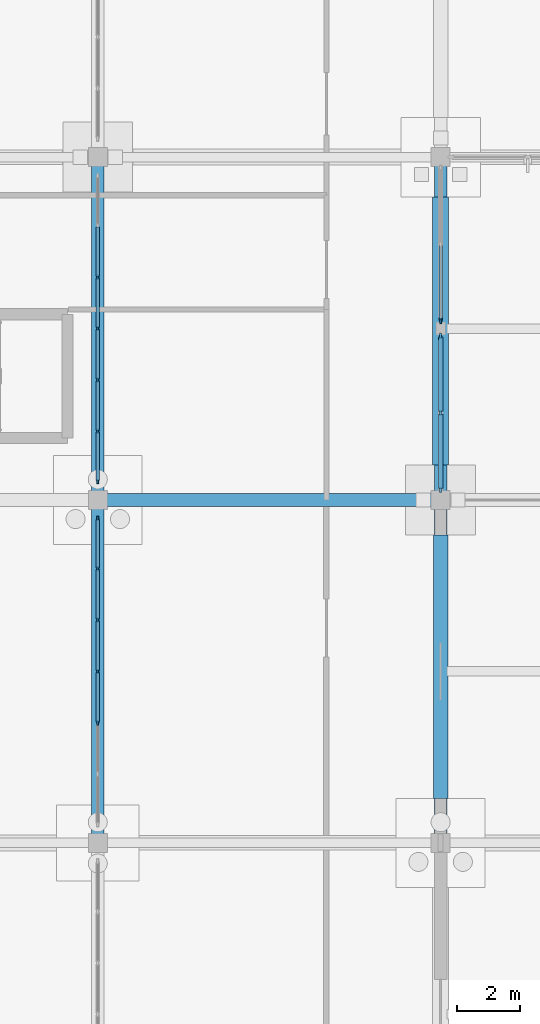
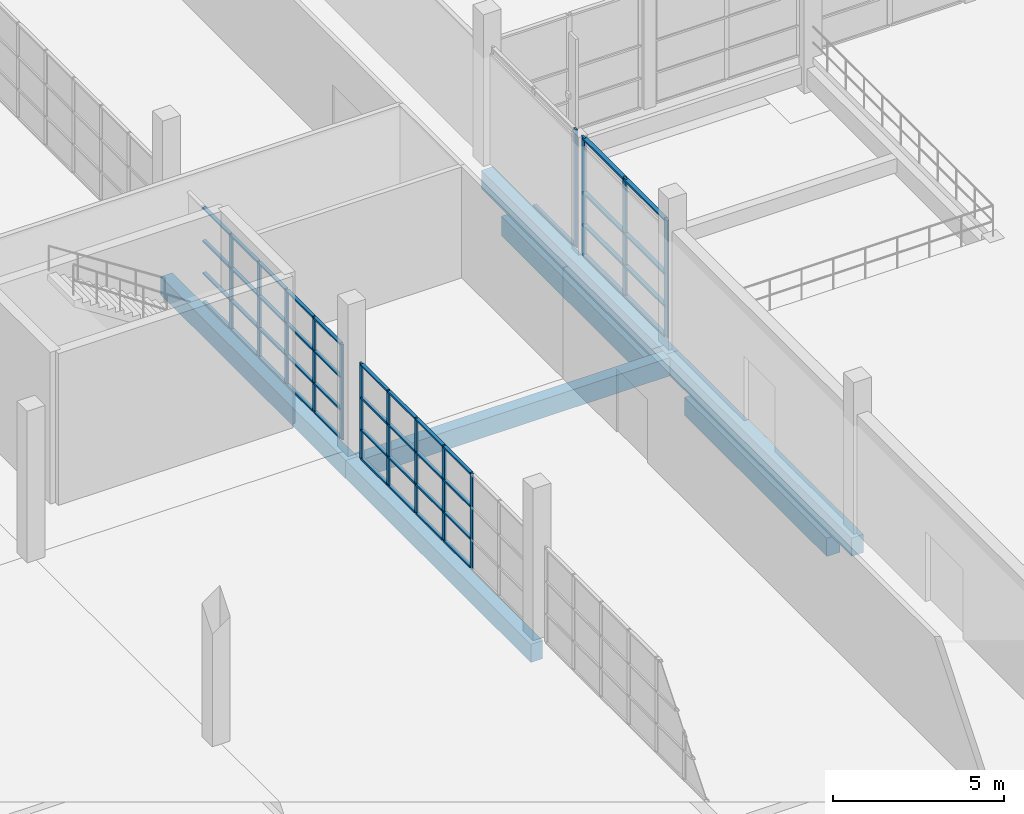
# One storey, part 28 of 138: 59 members, 7 beams, 4 elements without a shape of their own.
"""IFC4 building model written with IfcOpenShell, lengths in metres."""

from ifc_helpers import new_model, si_unit, direction, frame, origin, origin_2d, place, context, subcontext, project, spatial, rectangle, extrude, material, material_profile, profile_set, type_object, element, aggregate, save


model = new_model("IFC4")

# Units and contexts
model_context = context("Model", 3, precision=1e-05, world=origin(), true_north=direction((0.0, 1.0)))
body_context = subcontext(model_context, "Body", "Model", "MODEL_VIEW")
ifc_project = project(units=[si_unit("LENGTHUNIT", "METRE"), si_unit("AREAUNIT", "SQUARE_METRE"), si_unit("VOLUMEUNIT", "CUBIC_METRE"), si_unit("PLANEANGLEUNIT", "RADIAN"), si_unit("MASSUNIT", "GRAM", prefix="KILO")], contexts=[model_context])

# Site, building, storey
site_placement = place(None, origin())
site = spatial("IfcSite", under=ifc_project, at=site_placement, CompositionType="ELEMENT")
building_placement = place(site_placement, origin())
building = spatial("IfcBuilding", under=site, at=building_placement, Name="Zwinboog Wholesale Market", CompositionType="ELEMENT")
storey_placement = place(building_placement, origin())
storey = spatial("IfcBuildingStorey", under=building, at=storey_placement, Name="L00", CompositionType="ELEMENT", Elevation=0.0)

# Beams
ifc_material_1 = material(Name="Precast concrete C45/55", Category="concrete")
ifc_material_profile_1 = material_profile(ifc_material_1, rectangle(XDim=0.39990234375, YDim=0.64990234375, at=origin_2d()), Name="PC 400x650")
ifc_profile_set_1 = profile_set([ifc_material_profile_1], Name="Precast concrete C45/55")
beam_type_1 = type_object("IfcBeamType", Name="BT-05", PredefinedType="BEAM", material=ifc_profile_set_1)
for number, where, z_axis, x_axis, name in (
    (1, (32.39990234375, 54.0, -0.675048828125), (1.0, 0.0, 0.0), (0.0, 1.0, 0.0), "BG-05 (BMG-L00-0324-0540-0072)"),
    (2, (32.39990234375, 43.199951171875, -0.675048828125), (0.0, 1.0, 0.0), (-1.0, 0.0, 0.0), "BG-05 (BMG-L00-0324-0432-0251)"),
    (3, (32.39990234375, 54.0, -0.675048828125), (0.0, 1.0, 0.0), (-1.0, 0.0, 0.0), "BG-05 (BMG-L00-0324-0540-0252)"),
    (4, (43.199951171875, 43.199951171875, -0.675048828125), (0.0, 1.0, 0.0), (-1.0, 0.0, 0.0), "BG-05 (BMG-L00-0432-0432-0263)"),
    (5, (43.199951171875, 54.0, -0.675048828125), (0.0, 1.0, 0.0), (-1.0, 0.0, 0.0), "BG-05 (BMG-L00-0432-0540-0264)"),
):
    element("IfcBeam", number, at=place(storey_placement, frame(where, z_axis=z_axis, x_axis=x_axis)), inside=storey, type_object=beam_type_1, Name=name, PredefinedType="BEAM", context=body_context, shape_type="SweptSolid", body=[
        extrude(rectangle(XDim=0.39990234375, YDim=0.64990234375, at=origin_2d()), origin(), (0.0, 0.0, 1.0), 10.800048828125),
    ])
ifc_material_2 = material(Name="Concrete C35/45", Category="concrete")
ifc_material_profile_2 = material_profile(ifc_material_2, rectangle(XDim=0.5, YDim=0.699951171875, at=origin_2d()), Name="RC 500x700")
ifc_profile_set_2 = profile_set([ifc_material_profile_2], Name="Concrete C35/45")
beam_type_2 = type_object("IfcBeamType", Name="BT-12", PredefinedType="USERDEFINED", material=ifc_profile_set_2)
beam_1_placement = place(storey_placement, frame((43.199951171875, 55.10498046875, -1.550048828125), z_axis=(0.0, 1.0, 0.0), x_axis=(-1.0, 0.0, 0.0)))
element("IfcBeam", 6, at=beam_1_placement, inside=storey, type_object=beam_type_2, Name="GB-01 (BM-GB-0144)", ObjectType="GROUND_BEAM", PredefinedType="USERDEFINED", context=body_context, shape_type="SweptSolid", body=[
    extrude(rectangle(XDim=0.5, YDim=0.699951171875, at=origin_2d()), origin(), (0.0, 0.0, 1.0), 8.43994140625),
])
ifc_material_profile_3 = material_profile(ifc_material_2, rectangle(XDim=0.449951171875, YDim=0.64990234375, at=origin_2d()), Name="RC 450x650")
ifc_profile_set_3 = profile_set([ifc_material_profile_3], Name="Concrete C35/45")
beam_type_3 = type_object("IfcBeamType", Name="BT-13", PredefinedType="USERDEFINED", material=ifc_profile_set_3)
beam_2_placement = place(storey_placement, frame((43.199951171875, 44.60498046875, -1.52490234375), z_axis=(0.0, 1.0, 0.0), x_axis=(-1.0, 0.0, 0.0)))
element("IfcBeam", 7, at=beam_2_placement, inside=storey, type_object=beam_type_3, Name="GB-02 (BM-GB-0143)", ObjectType="GROUND_BEAM", PredefinedType="USERDEFINED", context=body_context, shape_type="SweptSolid", body=[
    extrude(rectangle(XDim=0.449951171875, YDim=0.64990234375, at=origin_2d()), origin(), (0.0, 0.0, 1.0), 8.2900390625),
])

# Curtain wall, members
ifc_material_3 = material(Name="Aluminium thermally broken curtain wall", Category="aluminium")
curtain_wall_type_1 = type_object("IfcCurtainWallType", Name="CWT-STALL-18", PredefinedType="USERDEFINED", material=ifc_material_3)
curtain_wall_1_placement = place(storey_placement, origin())
curtain_wall_1 = element("IfcCurtainWall", 8, at=curtain_wall_1_placement, inside=storey, type_object=curtain_wall_type_1, Name="CW-01 (CW-L00-025)", ObjectType="STOREFRONT_GLAZING", PredefinedType="USERDEFINED")
ifc_material_4 = material(Name="Aluminium EN AW-6060", Category="aluminium")
ifc_material_profile_4 = material_profile(ifc_material_4, rectangle(XDim=0.06494140625, YDim=0.179931640625, at=origin_2d()), Name="AL 65x180")
ifc_profile_set_4 = profile_set([ifc_material_profile_4], Name="Aluminium EN AW-6060")
member_type_1 = type_object("IfcMemberType", Name="CWM-65x180", PredefinedType="MULLION", material=ifc_profile_set_4)
member_1_placement = place(storey_placement, frame((43.199951171875, 54.327392578125, 0.0), z_axis=(0.0, 0.0, 1.0), x_axis=(-1.0, 0.0, 0.0)))
member_1 = element("IfcMember", 9, at=member_1_placement, type_object=member_type_1, Name="CW-01 mullion 1", PredefinedType="MULLION", context=body_context, shape_type="SweptSolid", body=[
    extrude(rectangle(XDim=0.06494140625, YDim=0.179931640625, at=origin_2d()), origin(), (0.0, 0.0, 1.0), 4.197998046875),
])
member_2_placement = place(storey_placement, frame((43.199951171875, 56.74755859375, 0.0), z_axis=(0.0, 0.0, 1.0), x_axis=(-1.0, 0.0, 0.0)))
member_2 = element("IfcMember", 10, at=member_2_placement, type_object=member_type_1, Name="CW-01 mullion 2", PredefinedType="MULLION", context=body_context, shape_type="SweptSolid", body=[
    extrude(rectangle(XDim=0.06494140625, YDim=0.179931640625, at=origin_2d()), origin(), (0.0, 0.0, 1.0), 4.197998046875),
])
member_3_placement = place(storey_placement, frame((43.199951171875, 59.16748046875, 0.0), z_axis=(0.0, 0.0, 1.0), x_axis=(-1.0, 0.0, 0.0)))
member_3 = element("IfcMember", 11, at=member_3_placement, type_object=member_type_1, Name="CW-01 mullion 3", PredefinedType="MULLION", context=body_context, shape_type="SweptSolid", body=[
    extrude(rectangle(XDim=0.06494140625, YDim=0.179931640625, at=origin_2d()), origin(), (0.0, 0.0, 1.0), 4.197998046875),
])

# Curtain wall, member
curtain_wall_type_2 = type_object("IfcCurtainWallType", Name="CWT-STALL-20", PredefinedType="USERDEFINED", material=ifc_material_3)
curtain_wall_2_placement = place(storey_placement, origin())
curtain_wall_2 = element("IfcCurtainWall", 12, at=curtain_wall_2_placement, inside=storey, type_object=curtain_wall_type_2, Name="CW-02 (CW-L00-026)", ObjectType="STOREFRONT_GLAZING", PredefinedType="USERDEFINED")
ifc_material_profile_5 = material_profile(ifc_material_4, rectangle(XDim=0.06005859375, YDim=0.14990234375, at=origin_2d()), Name="AL 60x150")
ifc_profile_set_5 = profile_set([ifc_material_profile_5], Name="Aluminium EN AW-6060")
member_type_2 = type_object("IfcMemberType", Name="CWM-60x150", PredefinedType="MULLION", material=ifc_profile_set_5)
member_4_placement = place(storey_placement, frame((43.199951171875, 59.6298828125, 0.0), z_axis=(0.0, 0.0, 1.0), x_axis=(-1.0, 0.0, 0.0)))
member_4 = element("IfcMember", 13, at=member_4_placement, type_object=member_type_2, Name="CW-02 mullion 1", PredefinedType="MULLION", context=body_context, shape_type="SweptSolid", body=[
    extrude(rectangle(XDim=0.06005859375, YDim=0.14990234375, at=origin_2d()), origin(), (0.0, 0.0, 1.0), 4.197998046875),
])

# Member
ifc_material_profile_6 = material_profile(ifc_material_4, rectangle(XDim=0.139892578125, YDim=0.06494140625, at=origin_2d()), Name="AL 65x140")
ifc_profile_set_6 = profile_set([ifc_material_profile_6], Name="Aluminium EN AW-6060")
member_type_3 = type_object("IfcMemberType", Name="CWT-65x140", PredefinedType="USERDEFINED", material=ifc_profile_set_6)
member_5_placement = place(storey_placement, frame((43.199951171875, 54.360107421875, 0.032470703125), z_axis=(0.0, 1.0, 0.0), x_axis=(-1.0, 0.0, 0.0)))
member_5 = element("IfcMember", 14, at=member_5_placement, type_object=member_type_3, Name="CW-01 transom 1.1", ObjectType="TRANSOM", PredefinedType="USERDEFINED", context=body_context, shape_type="SweptSolid", body=[
    extrude(rectangle(XDim=0.139892578125, YDim=0.06494140625, at=origin_2d()), origin(), (0.0, 0.0, 1.0), 2.35498046875),
])

member_6_placement = place(storey_placement, frame((43.199951171875, 54.360107421875, 1.10009765625), z_axis=(0.0, 1.0, 0.0), x_axis=(-1.0, 0.0, 0.0)))
member_6 = element("IfcMember", 15, at=member_6_placement, type_object=member_type_3, Name="CW-01 transom 1.2", ObjectType="TRANSOM", PredefinedType="USERDEFINED", context=body_context, shape_type="SweptSolid", body=[
    extrude(rectangle(XDim=0.139892578125, YDim=0.06494140625, at=origin_2d()), origin(), (0.0, 0.0, 1.0), 2.35498046875),
])

member_7_placement = place(storey_placement, frame((43.199951171875, 54.360107421875, 2.25), z_axis=(0.0, 1.0, 0.0), x_axis=(-1.0, 0.0, 0.0)))
member_7 = element("IfcMember", 16, at=member_7_placement, type_object=member_type_3, Name="CW-01 transom 1.3", ObjectType="TRANSOM", PredefinedType="USERDEFINED", context=body_context, shape_type="SweptSolid", body=[
    extrude(rectangle(XDim=0.139892578125, YDim=0.06494140625, at=origin_2d()), origin(), (0.0, 0.0, 1.0), 2.35498046875),
])

member_8_placement = place(storey_placement, frame((43.199951171875, 54.360107421875, 4.16552734375), z_axis=(0.0, 1.0, 0.0), x_axis=(-1.0, 0.0, 0.0)))
member_8 = element("IfcMember", 17, at=member_8_placement, type_object=member_type_3, Name="CW-01 transom 1.4", ObjectType="TRANSOM", PredefinedType="USERDEFINED", context=body_context, shape_type="SweptSolid", body=[
    extrude(rectangle(XDim=0.139892578125, YDim=0.06494140625, at=origin_2d()), origin(), (0.0, 0.0, 1.0), 2.35498046875),
])

member_9_placement = place(storey_placement, frame((43.199951171875, 56.780029296875, 0.032470703125), z_axis=(0.0, 1.0, 0.0), x_axis=(-1.0, 0.0, 0.0)))
member_9 = element("IfcMember", 18, at=member_9_placement, type_object=member_type_3, Name="CW-01 transom 2.1", ObjectType="TRANSOM", PredefinedType="USERDEFINED", context=body_context, shape_type="SweptSolid", body=[
    extrude(rectangle(XDim=0.139892578125, YDim=0.06494140625, at=origin_2d()), origin(), (0.0, 0.0, 1.0), 2.35498046875),
])

member_10_placement = place(storey_placement, frame((43.199951171875, 56.780029296875, 1.10009765625), z_axis=(0.0, 1.0, 0.0), x_axis=(-1.0, 0.0, 0.0)))
member_10 = element("IfcMember", 19, at=member_10_placement, type_object=member_type_3, Name="CW-01 transom 2.2", ObjectType="TRANSOM", PredefinedType="USERDEFINED", context=body_context, shape_type="SweptSolid", body=[
    extrude(rectangle(XDim=0.139892578125, YDim=0.06494140625, at=origin_2d()), origin(), (0.0, 0.0, 1.0), 2.35498046875),
])

member_11_placement = place(storey_placement, frame((43.199951171875, 56.780029296875, 2.25), z_axis=(0.0, 1.0, 0.0), x_axis=(-1.0, 0.0, 0.0)))
member_11 = element("IfcMember", 20, at=member_11_placement, type_object=member_type_3, Name="CW-01 transom 2.3", ObjectType="TRANSOM", PredefinedType="USERDEFINED", context=body_context, shape_type="SweptSolid", body=[
    extrude(rectangle(XDim=0.139892578125, YDim=0.06494140625, at=origin_2d()), origin(), (0.0, 0.0, 1.0), 2.35498046875),
])

member_12_placement = place(storey_placement, frame((43.199951171875, 56.780029296875, 4.16552734375), z_axis=(0.0, 1.0, 0.0), x_axis=(-1.0, 0.0, 0.0)))
member_12 = element("IfcMember", 21, at=member_12_placement, type_object=member_type_3, Name="CW-01 transom 2.4", ObjectType="TRANSOM", PredefinedType="USERDEFINED", context=body_context, shape_type="SweptSolid", body=[
    extrude(rectangle(XDim=0.139892578125, YDim=0.06494140625, at=origin_2d()), origin(), (0.0, 0.0, 1.0), 2.35498046875),
])

aggregate(curtain_wall_1, [member_1, member_2, member_3, member_5, member_6, member_7, member_8, member_9, member_10, member_11, member_12])

ifc_material_profile_7 = material_profile(ifc_material_4, rectangle(XDim=0.110107421875, YDim=0.06005859375, at=origin_2d()), Name="AL 60x110")
ifc_profile_set_7 = profile_set([ifc_material_profile_7], Name="Aluminium EN AW-6060")
member_type_4 = type_object("IfcMemberType", Name="CWT-60x110", PredefinedType="USERDEFINED", material=ifc_profile_set_7)
member_13_placement = place(storey_placement, frame((43.199951171875, 59.659912109375, 0.030029296875), z_axis=(0.0, 1.0, 0.0), x_axis=(-1.0, 0.0, 0.0)))
member_13 = element("IfcMember", 22, at=member_13_placement, type_object=member_type_4, Name="CW-02 transom 1.1", ObjectType="TRANSOM", PredefinedType="USERDEFINED", context=body_context, shape_type="SweptSolid", body=[
    extrude(rectangle(XDim=0.110107421875, YDim=0.06005859375, at=origin_2d()), origin(), (0.0, 0.0, 1.0), 2.362548828125),
])

aggregate(curtain_wall_2, [member_4, member_13])

# Curtain wall, members
curtain_wall_type_3 = type_object("IfcCurtainWallType", Name="CWT-INT-STALL", PredefinedType="USERDEFINED", material=ifc_material_3)
curtain_wall_3_placement = place(storey_placement, origin())
curtain_wall_3 = element("IfcCurtainWall", 23, at=curtain_wall_3_placement, inside=storey, type_object=curtain_wall_type_3, Name="CW-07 (CW-STL-221)", ObjectType="STOREFRONT_GLAZING", PredefinedType="USERDEFINED")
ifc_material_profile_8 = material_profile(ifc_material_4, rectangle(XDim=0.06005859375, YDim=0.14990234375, at=origin_2d()), Name="AL 60x150")
ifc_profile_set_8 = profile_set([ifc_material_profile_8], Name="Aluminium EN AW-6060")
member_type_5 = type_object("IfcMemberType", Name="CWM-INT-60x120", PredefinedType="MULLION", material=ifc_profile_set_8)
member_14_placement = place(storey_placement, frame((32.39990234375, 46.9833984375, 0.0), z_axis=(0.0, 0.0, 1.0), x_axis=(-1.0, 0.0, 0.0)))
member_14 = element("IfcMember", 24, at=member_14_placement, type_object=member_type_5, Name="CW-07 mullion 3", PredefinedType="MULLION", context=body_context, shape_type="SweptSolid", body=[
    extrude(rectangle(XDim=0.06005859375, YDim=0.14990234375, at=origin_2d()), origin(), (0.0, 0.0, 1.0), 3.39990234375),
])
member_15_placement = place(storey_placement, frame((32.39990234375, 48.60009765625, 0.0), z_axis=(0.0, 0.0, 1.0), x_axis=(-1.0, 0.0, 0.0)))
member_15 = element("IfcMember", 25, at=member_15_placement, type_object=member_type_5, Name="CW-07 mullion 4", PredefinedType="MULLION", context=body_context, shape_type="SweptSolid", body=[
    extrude(rectangle(XDim=0.06005859375, YDim=0.14990234375, at=origin_2d()), origin(), (0.0, 0.0, 1.0), 3.39990234375),
])
member_16_placement = place(storey_placement, frame((32.39990234375, 50.216552734375, 0.0), z_axis=(0.0, 0.0, 1.0), x_axis=(-1.0, 0.0, 0.0)))
member_16 = element("IfcMember", 26, at=member_16_placement, type_object=member_type_5, Name="CW-07 mullion 5", PredefinedType="MULLION", context=body_context, shape_type="SweptSolid", body=[
    extrude(rectangle(XDim=0.06005859375, YDim=0.14990234375, at=origin_2d()), origin(), (0.0, 0.0, 1.0), 3.39990234375),
])
member_17_placement = place(storey_placement, frame((32.39990234375, 51.833251953125, 0.0), z_axis=(0.0, 0.0, 1.0), x_axis=(-1.0, 0.0, 0.0)))
member_17 = element("IfcMember", 27, at=member_17_placement, type_object=member_type_5, Name="CW-07 mullion 6", PredefinedType="MULLION", context=body_context, shape_type="SweptSolid", body=[
    extrude(rectangle(XDim=0.06005859375, YDim=0.14990234375, at=origin_2d()), origin(), (0.0, 0.0, 1.0), 3.39990234375),
])
member_18_placement = place(storey_placement, frame((32.39990234375, 53.419921875, 0.0), z_axis=(0.0, 0.0, 1.0), x_axis=(-1.0, 0.0, 0.0)))
member_18 = element("IfcMember", 28, at=member_18_placement, type_object=member_type_5, Name="CW-07 mullion 7", PredefinedType="MULLION", context=body_context, shape_type="SweptSolid", body=[
    extrude(rectangle(XDim=0.06005859375, YDim=0.14990234375, at=origin_2d()), origin(), (0.0, 0.0, 1.0), 3.39990234375),
])

curtain_wall_4_placement = place(storey_placement, origin())
curtain_wall_4 = element("IfcCurtainWall", 29, at=curtain_wall_4_placement, inside=storey, type_object=curtain_wall_type_3, Name="CW-07 (CW-STL-222)", ObjectType="STOREFRONT_GLAZING", PredefinedType="USERDEFINED")
member_19_placement = place(storey_placement, frame((32.39990234375, 54.580078125, 0.0), z_axis=(0.0, 0.0, 1.0), x_axis=(-1.0, 0.0, 0.0)))
member_19 = element("IfcMember", 30, at=member_19_placement, type_object=member_type_5, Name="CW-07 mullion 1", PredefinedType="MULLION", context=body_context, shape_type="SweptSolid", body=[
    extrude(rectangle(XDim=0.06005859375, YDim=0.14990234375, at=origin_2d()), origin(), (0.0, 0.0, 1.0), 3.39990234375),
])
member_20_placement = place(storey_placement, frame((32.39990234375, 56.166748046875, 0.0), z_axis=(0.0, 0.0, 1.0), x_axis=(-1.0, 0.0, 0.0)))
member_20 = element("IfcMember", 31, at=member_20_placement, type_object=member_type_5, Name="CW-07 mullion 2", PredefinedType="MULLION", context=body_context, shape_type="SweptSolid", body=[
    extrude(rectangle(XDim=0.06005859375, YDim=0.14990234375, at=origin_2d()), origin(), (0.0, 0.0, 1.0), 3.39990234375),
])
member_21_placement = place(storey_placement, frame((32.39990234375, 57.783447265625, 0.0), z_axis=(0.0, 0.0, 1.0), x_axis=(-1.0, 0.0, 0.0)))
member_21 = element("IfcMember", 32, at=member_21_placement, type_object=member_type_5, Name="CW-07 mullion 3", PredefinedType="MULLION", context=body_context, shape_type="SweptSolid", body=[
    extrude(rectangle(XDim=0.06005859375, YDim=0.14990234375, at=origin_2d()), origin(), (0.0, 0.0, 1.0), 3.39990234375),
])
member_22_placement = place(storey_placement, frame((32.39990234375, 59.39990234375, 0.0), z_axis=(0.0, 0.0, 1.0), x_axis=(-1.0, 0.0, 0.0)))
member_22 = element("IfcMember", 33, at=member_22_placement, type_object=member_type_5, Name="CW-07 mullion 4", PredefinedType="MULLION", context=body_context, shape_type="SweptSolid", body=[
    extrude(rectangle(XDim=0.06005859375, YDim=0.14990234375, at=origin_2d()), origin(), (0.0, 0.0, 1.0), 3.39990234375),
])
member_23_placement = place(storey_placement, frame((32.39990234375, 61.0166015625, 0.0), z_axis=(0.0, 0.0, 1.0), x_axis=(-1.0, 0.0, 0.0)))
member_23 = element("IfcMember", 34, at=member_23_placement, type_object=member_type_5, Name="CW-07 mullion 5", PredefinedType="MULLION", context=body_context, shape_type="SweptSolid", body=[
    extrude(rectangle(XDim=0.06005859375, YDim=0.14990234375, at=origin_2d()), origin(), (0.0, 0.0, 1.0), 3.39990234375),
])

# Member
ifc_material_profile_9 = material_profile(ifc_material_4, rectangle(XDim=0.110107421875, YDim=0.06005859375, at=origin_2d()), Name="AL 60x110")
ifc_profile_set_9 = profile_set([ifc_material_profile_9], Name="Aluminium EN AW-6060")
member_type_6 = type_object("IfcMemberType", Name="CWT-INT-60x100", PredefinedType="USERDEFINED", material=ifc_profile_set_9)
member_24_placement = place(storey_placement, frame((32.39990234375, 47.013427734375, 0.030029296875), z_axis=(0.0, 1.0, 0.0), x_axis=(-1.0, 0.0, 0.0)))
member_24 = element("IfcMember", 35, at=member_24_placement, type_object=member_type_6, Name="CW-07 transom 3.1", ObjectType="TRANSOM", PredefinedType="USERDEFINED", context=body_context, shape_type="SweptSolid", body=[
    extrude(rectangle(XDim=0.110107421875, YDim=0.06005859375, at=origin_2d()), origin(), (0.0, 0.0, 1.0), 1.556640625),
])

member_25_placement = place(storey_placement, frame((32.39990234375, 47.013427734375, 1.050048828125), z_axis=(0.0, 1.0, 0.0), x_axis=(-1.0, 0.0, 0.0)))
member_25 = element("IfcMember", 36, at=member_25_placement, type_object=member_type_6, Name="CW-07 transom 3.2", ObjectType="TRANSOM", PredefinedType="USERDEFINED", context=body_context, shape_type="SweptSolid", body=[
    extrude(rectangle(XDim=0.110107421875, YDim=0.06005859375, at=origin_2d()), origin(), (0.0, 0.0, 1.0), 1.556640625),
])

member_26_placement = place(storey_placement, frame((32.39990234375, 47.013427734375, 2.199951171875), z_axis=(0.0, 1.0, 0.0), x_axis=(-1.0, 0.0, 0.0)))
member_26 = element("IfcMember", 37, at=member_26_placement, type_object=member_type_6, Name="CW-07 transom 3.3", ObjectType="TRANSOM", PredefinedType="USERDEFINED", context=body_context, shape_type="SweptSolid", body=[
    extrude(rectangle(XDim=0.110107421875, YDim=0.06005859375, at=origin_2d()), origin(), (0.0, 0.0, 1.0), 1.556640625),
])

member_27_placement = place(storey_placement, frame((32.39990234375, 47.013427734375, 3.3701171875), z_axis=(0.0, 1.0, 0.0), x_axis=(-1.0, 0.0, 0.0)))
member_27 = element("IfcMember", 38, at=member_27_placement, type_object=member_type_6, Name="CW-07 transom 3.4", ObjectType="TRANSOM", PredefinedType="USERDEFINED", context=body_context, shape_type="SweptSolid", body=[
    extrude(rectangle(XDim=0.110107421875, YDim=0.06005859375, at=origin_2d()), origin(), (0.0, 0.0, 1.0), 1.556640625),
])

member_28_placement = place(storey_placement, frame((32.39990234375, 48.6298828125, 0.030029296875), z_axis=(0.0, 1.0, 0.0), x_axis=(-1.0, 0.0, 0.0)))
member_28 = element("IfcMember", 39, at=member_28_placement, type_object=member_type_6, Name="CW-07 transom 4.1", ObjectType="TRANSOM", PredefinedType="USERDEFINED", context=body_context, shape_type="SweptSolid", body=[
    extrude(rectangle(XDim=0.110107421875, YDim=0.06005859375, at=origin_2d()), origin(), (0.0, 0.0, 1.0), 1.556884765625),
])

member_29_placement = place(storey_placement, frame((32.39990234375, 48.6298828125, 1.050048828125), z_axis=(0.0, 1.0, 0.0), x_axis=(-1.0, 0.0, 0.0)))
member_29 = element("IfcMember", 40, at=member_29_placement, type_object=member_type_6, Name="CW-07 transom 4.2", ObjectType="TRANSOM", PredefinedType="USERDEFINED", context=body_context, shape_type="SweptSolid", body=[
    extrude(rectangle(XDim=0.110107421875, YDim=0.06005859375, at=origin_2d()), origin(), (0.0, 0.0, 1.0), 1.556884765625),
])

member_30_placement = place(storey_placement, frame((32.39990234375, 48.6298828125, 2.199951171875), z_axis=(0.0, 1.0, 0.0), x_axis=(-1.0, 0.0, 0.0)))
member_30 = element("IfcMember", 41, at=member_30_placement, type_object=member_type_6, Name="CW-07 transom 4.3", ObjectType="TRANSOM", PredefinedType="USERDEFINED", context=body_context, shape_type="SweptSolid", body=[
    extrude(rectangle(XDim=0.110107421875, YDim=0.06005859375, at=origin_2d()), origin(), (0.0, 0.0, 1.0), 1.556884765625),
])

member_31_placement = place(storey_placement, frame((32.39990234375, 48.6298828125, 3.3701171875), z_axis=(0.0, 1.0, 0.0), x_axis=(-1.0, 0.0, 0.0)))
member_31 = element("IfcMember", 42, at=member_31_placement, type_object=member_type_6, Name="CW-07 transom 4.4", ObjectType="TRANSOM", PredefinedType="USERDEFINED", context=body_context, shape_type="SweptSolid", body=[
    extrude(rectangle(XDim=0.110107421875, YDim=0.06005859375, at=origin_2d()), origin(), (0.0, 0.0, 1.0), 1.556884765625),
])

member_32_placement = place(storey_placement, frame((32.39990234375, 50.24658203125, 0.030029296875), z_axis=(0.0, 1.0, 0.0), x_axis=(-1.0, 0.0, 0.0)))
member_32 = element("IfcMember", 43, at=member_32_placement, type_object=member_type_6, Name="CW-07 transom 5.1", ObjectType="TRANSOM", PredefinedType="USERDEFINED", context=body_context, shape_type="SweptSolid", body=[
    extrude(rectangle(XDim=0.110107421875, YDim=0.06005859375, at=origin_2d()), origin(), (0.0, 0.0, 1.0), 1.556640625),
])

member_33_placement = place(storey_placement, frame((32.39990234375, 50.24658203125, 1.050048828125), z_axis=(0.0, 1.0, 0.0), x_axis=(-1.0, 0.0, 0.0)))
member_33 = element("IfcMember", 44, at=member_33_placement, type_object=member_type_6, Name="CW-07 transom 5.2", ObjectType="TRANSOM", PredefinedType="USERDEFINED", context=body_context, shape_type="SweptSolid", body=[
    extrude(rectangle(XDim=0.110107421875, YDim=0.06005859375, at=origin_2d()), origin(), (0.0, 0.0, 1.0), 1.556640625),
])

member_34_placement = place(storey_placement, frame((32.39990234375, 50.24658203125, 2.199951171875), z_axis=(0.0, 1.0, 0.0), x_axis=(-1.0, 0.0, 0.0)))
member_34 = element("IfcMember", 45, at=member_34_placement, type_object=member_type_6, Name="CW-07 transom 5.3", ObjectType="TRANSOM", PredefinedType="USERDEFINED", context=body_context, shape_type="SweptSolid", body=[
    extrude(rectangle(XDim=0.110107421875, YDim=0.06005859375, at=origin_2d()), origin(), (0.0, 0.0, 1.0), 1.556640625),
])

member_35_placement = place(storey_placement, frame((32.39990234375, 50.24658203125, 3.3701171875), z_axis=(0.0, 1.0, 0.0), x_axis=(-1.0, 0.0, 0.0)))
member_35 = element("IfcMember", 46, at=member_35_placement, type_object=member_type_6, Name="CW-07 transom 5.4", ObjectType="TRANSOM", PredefinedType="USERDEFINED", context=body_context, shape_type="SweptSolid", body=[
    extrude(rectangle(XDim=0.110107421875, YDim=0.06005859375, at=origin_2d()), origin(), (0.0, 0.0, 1.0), 1.556640625),
])

member_36_placement = place(storey_placement, frame((32.39990234375, 51.86328125, 0.030029296875), z_axis=(0.0, 1.0, 0.0), x_axis=(-1.0, 0.0, 0.0)))
member_36 = element("IfcMember", 47, at=member_36_placement, type_object=member_type_6, Name="CW-07 transom 6.1", ObjectType="TRANSOM", PredefinedType="USERDEFINED", context=body_context, shape_type="SweptSolid", body=[
    extrude(rectangle(XDim=0.110107421875, YDim=0.06005859375, at=origin_2d()), origin(), (0.0, 0.0, 1.0), 1.526611328125),
])

member_37_placement = place(storey_placement, frame((32.39990234375, 51.86328125, 1.050048828125), z_axis=(0.0, 1.0, 0.0), x_axis=(-1.0, 0.0, 0.0)))
member_37 = element("IfcMember", 48, at=member_37_placement, type_object=member_type_6, Name="CW-07 transom 6.2", ObjectType="TRANSOM", PredefinedType="USERDEFINED", context=body_context, shape_type="SweptSolid", body=[
    extrude(rectangle(XDim=0.110107421875, YDim=0.06005859375, at=origin_2d()), origin(), (0.0, 0.0, 1.0), 1.526611328125),
])

member_38_placement = place(storey_placement, frame((32.39990234375, 51.86328125, 2.199951171875), z_axis=(0.0, 1.0, 0.0), x_axis=(-1.0, 0.0, 0.0)))
member_38 = element("IfcMember", 49, at=member_38_placement, type_object=member_type_6, Name="CW-07 transom 6.3", ObjectType="TRANSOM", PredefinedType="USERDEFINED", context=body_context, shape_type="SweptSolid", body=[
    extrude(rectangle(XDim=0.110107421875, YDim=0.06005859375, at=origin_2d()), origin(), (0.0, 0.0, 1.0), 1.526611328125),
])

member_39_placement = place(storey_placement, frame((32.39990234375, 51.86328125, 3.3701171875), z_axis=(0.0, 1.0, 0.0), x_axis=(-1.0, 0.0, 0.0)))
member_39 = element("IfcMember", 50, at=member_39_placement, type_object=member_type_6, Name="CW-07 transom 6.4", ObjectType="TRANSOM", PredefinedType="USERDEFINED", context=body_context, shape_type="SweptSolid", body=[
    extrude(rectangle(XDim=0.110107421875, YDim=0.06005859375, at=origin_2d()), origin(), (0.0, 0.0, 1.0), 1.526611328125),
])

aggregate(curtain_wall_3, [member_14, member_15, member_16, member_17, member_18, member_24, member_25, member_26, member_27, member_28, member_29, member_30, member_31, member_32, member_33, member_34, member_35, member_36, member_37, member_38, member_39])

member_40_placement = place(storey_placement, frame((32.39990234375, 54.610107421875, 0.030029296875), z_axis=(0.0, 1.0, 0.0), x_axis=(-1.0, 0.0, 0.0)))
member_40 = element("IfcMember", 51, at=member_40_placement, type_object=member_type_6, Name="CW-07 transom 1.1", ObjectType="TRANSOM", PredefinedType="USERDEFINED", context=body_context, shape_type="SweptSolid", body=[
    extrude(rectangle(XDim=0.110107421875, YDim=0.06005859375, at=origin_2d()), origin(), (0.0, 0.0, 1.0), 1.526611328125),
])

member_41_placement = place(storey_placement, frame((32.39990234375, 54.610107421875, 1.050048828125), z_axis=(0.0, 1.0, 0.0), x_axis=(-1.0, 0.0, 0.0)))
member_41 = element("IfcMember", 52, at=member_41_placement, type_object=member_type_6, Name="CW-07 transom 1.2", ObjectType="TRANSOM", PredefinedType="USERDEFINED", context=body_context, shape_type="SweptSolid", body=[
    extrude(rectangle(XDim=0.110107421875, YDim=0.06005859375, at=origin_2d()), origin(), (0.0, 0.0, 1.0), 1.526611328125),
])

member_42_placement = place(storey_placement, frame((32.39990234375, 54.610107421875, 2.199951171875), z_axis=(0.0, 1.0, 0.0), x_axis=(-1.0, 0.0, 0.0)))
member_42 = element("IfcMember", 53, at=member_42_placement, type_object=member_type_6, Name="CW-07 transom 1.3", ObjectType="TRANSOM", PredefinedType="USERDEFINED", context=body_context, shape_type="SweptSolid", body=[
    extrude(rectangle(XDim=0.110107421875, YDim=0.06005859375, at=origin_2d()), origin(), (0.0, 0.0, 1.0), 1.526611328125),
])

member_43_placement = place(storey_placement, frame((32.39990234375, 54.610107421875, 3.3701171875), z_axis=(0.0, 1.0, 0.0), x_axis=(-1.0, 0.0, 0.0)))
member_43 = element("IfcMember", 54, at=member_43_placement, type_object=member_type_6, Name="CW-07 transom 1.4", ObjectType="TRANSOM", PredefinedType="USERDEFINED", context=body_context, shape_type="SweptSolid", body=[
    extrude(rectangle(XDim=0.110107421875, YDim=0.06005859375, at=origin_2d()), origin(), (0.0, 0.0, 1.0), 1.526611328125),
])

member_44_placement = place(storey_placement, frame((32.39990234375, 56.19677734375, 0.030029296875), z_axis=(0.0, 1.0, 0.0), x_axis=(-1.0, 0.0, 0.0)))
member_44 = element("IfcMember", 55, at=member_44_placement, type_object=member_type_6, Name="CW-07 transom 2.1", ObjectType="TRANSOM", PredefinedType="USERDEFINED", context=body_context, shape_type="SweptSolid", body=[
    extrude(rectangle(XDim=0.110107421875, YDim=0.06005859375, at=origin_2d()), origin(), (0.0, 0.0, 1.0), 1.556640625),
])

member_45_placement = place(storey_placement, frame((32.39990234375, 56.19677734375, 1.050048828125), z_axis=(0.0, 1.0, 0.0), x_axis=(-1.0, 0.0, 0.0)))
member_45 = element("IfcMember", 56, at=member_45_placement, type_object=member_type_6, Name="CW-07 transom 2.2", ObjectType="TRANSOM", PredefinedType="USERDEFINED", context=body_context, shape_type="SweptSolid", body=[
    extrude(rectangle(XDim=0.110107421875, YDim=0.06005859375, at=origin_2d()), origin(), (0.0, 0.0, 1.0), 1.556640625),
])

member_46_placement = place(storey_placement, frame((32.39990234375, 56.19677734375, 2.199951171875), z_axis=(0.0, 1.0, 0.0), x_axis=(-1.0, 0.0, 0.0)))
member_46 = element("IfcMember", 57, at=member_46_placement, type_object=member_type_6, Name="CW-07 transom 2.3", ObjectType="TRANSOM", PredefinedType="USERDEFINED", context=body_context, shape_type="SweptSolid", body=[
    extrude(rectangle(XDim=0.110107421875, YDim=0.06005859375, at=origin_2d()), origin(), (0.0, 0.0, 1.0), 1.556640625),
])

member_47_placement = place(storey_placement, frame((32.39990234375, 56.19677734375, 3.3701171875), z_axis=(0.0, 1.0, 0.0), x_axis=(-1.0, 0.0, 0.0)))
member_47 = element("IfcMember", 58, at=member_47_placement, type_object=member_type_6, Name="CW-07 transom 2.4", ObjectType="TRANSOM", PredefinedType="USERDEFINED", context=body_context, shape_type="SweptSolid", body=[
    extrude(rectangle(XDim=0.110107421875, YDim=0.06005859375, at=origin_2d()), origin(), (0.0, 0.0, 1.0), 1.556640625),
])

member_48_placement = place(storey_placement, frame((32.39990234375, 57.813232421875, 0.030029296875), z_axis=(0.0, 1.0, 0.0), x_axis=(-1.0, 0.0, 0.0)))
member_48 = element("IfcMember", 59, at=member_48_placement, type_object=member_type_6, Name="CW-07 transom 3.1", ObjectType="TRANSOM", PredefinedType="USERDEFINED", context=body_context, shape_type="SweptSolid", body=[
    extrude(rectangle(XDim=0.110107421875, YDim=0.06005859375, at=origin_2d()), origin(), (0.0, 0.0, 1.0), 1.556884765625),
])

member_49_placement = place(storey_placement, frame((32.39990234375, 57.813232421875, 1.050048828125), z_axis=(0.0, 1.0, 0.0), x_axis=(-1.0, 0.0, 0.0)))
member_49 = element("IfcMember", 60, at=member_49_placement, type_object=member_type_6, Name="CW-07 transom 3.2", ObjectType="TRANSOM", PredefinedType="USERDEFINED", context=body_context, shape_type="SweptSolid", body=[
    extrude(rectangle(XDim=0.110107421875, YDim=0.06005859375, at=origin_2d()), origin(), (0.0, 0.0, 1.0), 1.556884765625),
])

member_50_placement = place(storey_placement, frame((32.39990234375, 57.813232421875, 2.199951171875), z_axis=(0.0, 1.0, 0.0), x_axis=(-1.0, 0.0, 0.0)))
member_50 = element("IfcMember", 61, at=member_50_placement, type_object=member_type_6, Name="CW-07 transom 3.3", ObjectType="TRANSOM", PredefinedType="USERDEFINED", context=body_context, shape_type="SweptSolid", body=[
    extrude(rectangle(XDim=0.110107421875, YDim=0.06005859375, at=origin_2d()), origin(), (0.0, 0.0, 1.0), 1.556884765625),
])

member_51_placement = place(storey_placement, frame((32.39990234375, 57.813232421875, 3.3701171875), z_axis=(0.0, 1.0, 0.0), x_axis=(-1.0, 0.0, 0.0)))
member_51 = element("IfcMember", 62, at=member_51_placement, type_object=member_type_6, Name="CW-07 transom 3.4", ObjectType="TRANSOM", PredefinedType="USERDEFINED", context=body_context, shape_type="SweptSolid", body=[
    extrude(rectangle(XDim=0.110107421875, YDim=0.06005859375, at=origin_2d()), origin(), (0.0, 0.0, 1.0), 1.556884765625),
])

member_52_placement = place(storey_placement, frame((32.39990234375, 59.429931640625, 0.030029296875), z_axis=(0.0, 1.0, 0.0), x_axis=(-1.0, 0.0, 0.0)))
member_52 = element("IfcMember", 63, at=member_52_placement, type_object=member_type_6, Name="CW-07 transom 4.1", ObjectType="TRANSOM", PredefinedType="USERDEFINED", context=body_context, shape_type="SweptSolid", body=[
    extrude(rectangle(XDim=0.110107421875, YDim=0.06005859375, at=origin_2d()), origin(), (0.0, 0.0, 1.0), 1.556640625),
])

member_53_placement = place(storey_placement, frame((32.39990234375, 59.429931640625, 1.050048828125), z_axis=(0.0, 1.0, 0.0), x_axis=(-1.0, 0.0, 0.0)))
member_53 = element("IfcMember", 64, at=member_53_placement, type_object=member_type_6, Name="CW-07 transom 4.2", ObjectType="TRANSOM", PredefinedType="USERDEFINED", context=body_context, shape_type="SweptSolid", body=[
    extrude(rectangle(XDim=0.110107421875, YDim=0.06005859375, at=origin_2d()), origin(), (0.0, 0.0, 1.0), 1.556640625),
])

member_54_placement = place(storey_placement, frame((32.39990234375, 59.429931640625, 2.199951171875), z_axis=(0.0, 1.0, 0.0), x_axis=(-1.0, 0.0, 0.0)))
member_54 = element("IfcMember", 65, at=member_54_placement, type_object=member_type_6, Name="CW-07 transom 4.3", ObjectType="TRANSOM", PredefinedType="USERDEFINED", context=body_context, shape_type="SweptSolid", body=[
    extrude(rectangle(XDim=0.110107421875, YDim=0.06005859375, at=origin_2d()), origin(), (0.0, 0.0, 1.0), 1.556640625),
])

member_55_placement = place(storey_placement, frame((32.39990234375, 59.429931640625, 3.3701171875), z_axis=(0.0, 1.0, 0.0), x_axis=(-1.0, 0.0, 0.0)))
member_55 = element("IfcMember", 66, at=member_55_placement, type_object=member_type_6, Name="CW-07 transom 4.4", ObjectType="TRANSOM", PredefinedType="USERDEFINED", context=body_context, shape_type="SweptSolid", body=[
    extrude(rectangle(XDim=0.110107421875, YDim=0.06005859375, at=origin_2d()), origin(), (0.0, 0.0, 1.0), 1.556640625),
])

member_56_placement = place(storey_placement, frame((32.39990234375, 61.046630859375, 0.030029296875), z_axis=(0.0, 1.0, 0.0), x_axis=(-1.0, 0.0, 0.0)))
member_56 = element("IfcMember", 67, at=member_56_placement, type_object=member_type_6, Name="CW-07 transom 5.1", ObjectType="TRANSOM", PredefinedType="USERDEFINED", context=body_context, shape_type="SweptSolid", body=[
    extrude(rectangle(XDim=0.110107421875, YDim=0.06005859375, at=origin_2d()), origin(), (0.0, 0.0, 1.0), 1.556640625),
])

member_57_placement = place(storey_placement, frame((32.39990234375, 61.046630859375, 1.050048828125), z_axis=(0.0, 1.0, 0.0), x_axis=(-1.0, 0.0, 0.0)))
member_57 = element("IfcMember", 68, at=member_57_placement, type_object=member_type_6, Name="CW-07 transom 5.2", ObjectType="TRANSOM", PredefinedType="USERDEFINED", context=body_context, shape_type="SweptSolid", body=[
    extrude(rectangle(XDim=0.110107421875, YDim=0.06005859375, at=origin_2d()), origin(), (0.0, 0.0, 1.0), 1.556640625),
])

member_58_placement = place(storey_placement, frame((32.39990234375, 61.046630859375, 2.199951171875), z_axis=(0.0, 1.0, 0.0), x_axis=(-1.0, 0.0, 0.0)))
member_58 = element("IfcMember", 69, at=member_58_placement, type_object=member_type_6, Name="CW-07 transom 5.3", ObjectType="TRANSOM", PredefinedType="USERDEFINED", context=body_context, shape_type="SweptSolid", body=[
    extrude(rectangle(XDim=0.110107421875, YDim=0.06005859375, at=origin_2d()), origin(), (0.0, 0.0, 1.0), 1.556640625),
])

member_59_placement = place(storey_placement, frame((32.39990234375, 61.046630859375, 3.3701171875), z_axis=(0.0, 1.0, 0.0), x_axis=(-1.0, 0.0, 0.0)))
member_59 = element("IfcMember", 70, at=member_59_placement, type_object=member_type_6, Name="CW-07 transom 5.4", ObjectType="TRANSOM", PredefinedType="USERDEFINED", context=body_context, shape_type="SweptSolid", body=[
    extrude(rectangle(XDim=0.110107421875, YDim=0.06005859375, at=origin_2d()), origin(), (0.0, 0.0, 1.0), 1.556640625),
])

aggregate(curtain_wall_4, [member_19, member_20, member_21, member_22, member_23, member_40, member_41, member_42, member_43, member_44, member_45, member_46, member_47, member_48, member_49, member_50, member_51, member_52, member_53, member_54, member_55, member_56, member_57, member_58, member_59])

save(model, "model.ifc")
